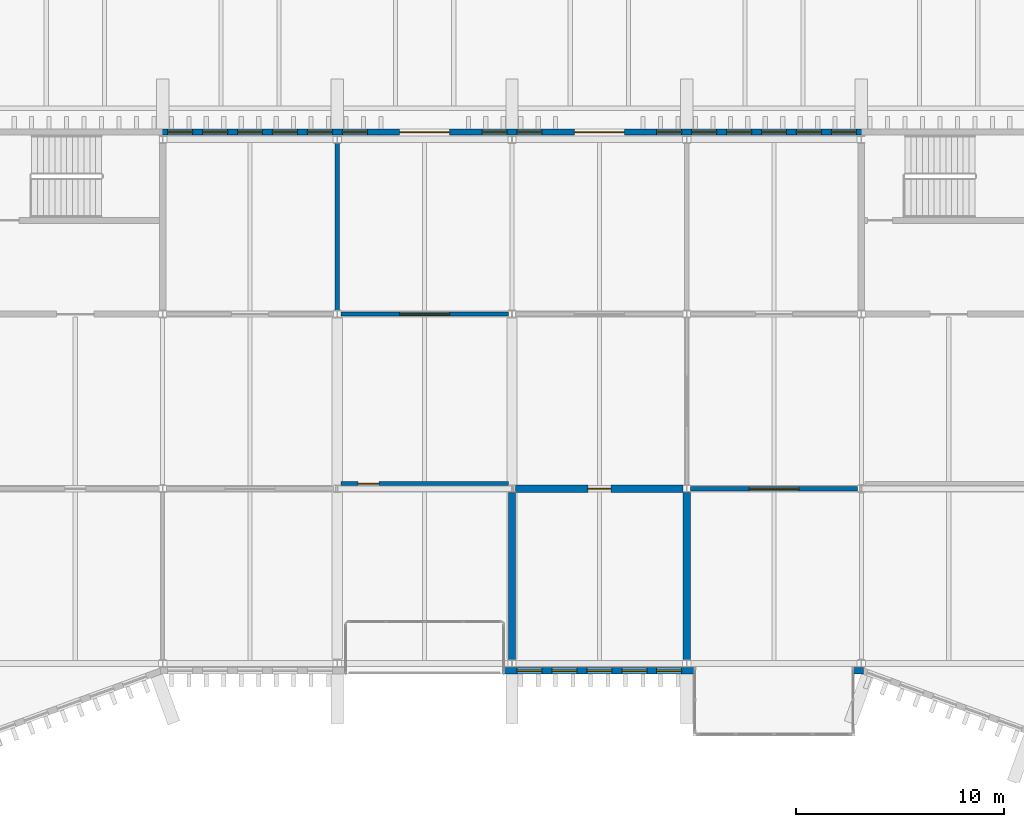
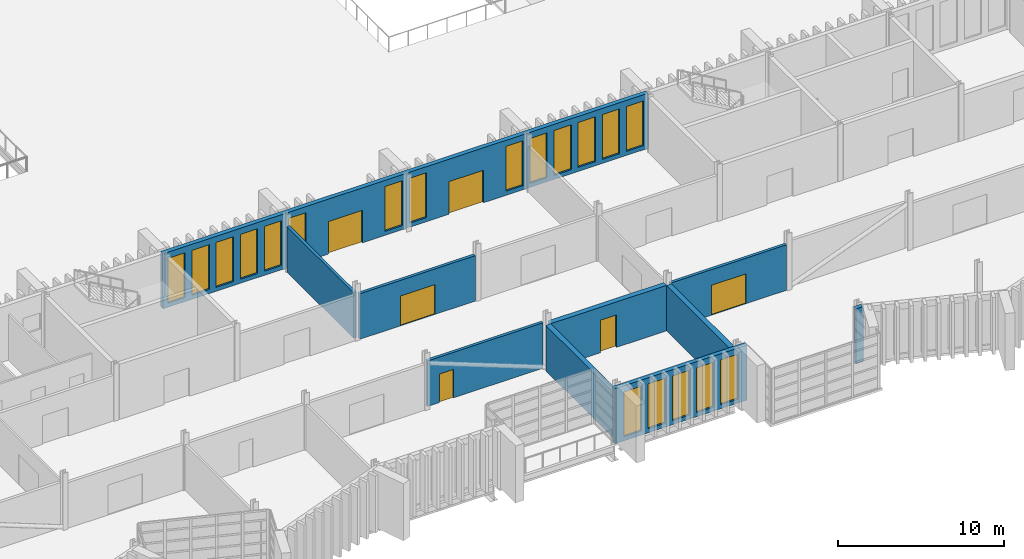
# One storey, part 60 of 96: 19 windows, 10 walls, 6 doors, 25 openings.
"""IFC4 building model written with IfcOpenShell, lengths in metres."""

from ifc_helpers import new_model, si_unit, direction, frame, frame_2d, origin, place, context, subcontext, project, spatial, rectangle, extrude, material, layer, layer_set, type_object, element, fill, save


model = new_model("IFC4")

# Units and contexts
model_context = context("Model", 3, precision=1e-05, world=origin(), true_north=direction((0.0, 1.0)))
body_context = subcontext(model_context, "Body", "Model", "MODEL_VIEW")
ifc_project = project(units=[si_unit("LENGTHUNIT", "METRE"), si_unit("AREAUNIT", "SQUARE_METRE"), si_unit("VOLUMEUNIT", "CUBIC_METRE"), si_unit("PLANEANGLEUNIT", "RADIAN"), si_unit("MASSUNIT", "GRAM", prefix="KILO")], contexts=[model_context])

# Site, building, storey
site_placement = place(None, origin())
site = spatial("IfcSite", under=ifc_project, at=site_placement, CompositionType="ELEMENT")
building_placement = place(site_placement, origin())
building = spatial("IfcBuilding", under=site, at=building_placement, Name="Cresset Court Congress Hotel", CompositionType="ELEMENT")
storey_placement = place(building_placement, frame((0.0, 0.0, 6.0)))
storey = spatial("IfcBuildingStorey", under=building, at=storey_placement, Name="L01", CompositionType="ELEMENT", Elevation=6.0)

# Wall, opening, door
ifc_material_1 = material(Name="Double gypsum board leaves on steel studs with mineral wool", Category="steel")
ifc_layer_1 = layer(ifc_material_1, 0.35009765625)
ifc_layer_set_1 = layer_set([ifc_layer_1], Name="Acoustic double-leaf boardroom wall 350")
wall_type_1 = type_object("IfcWallType", Name="Acoustic double-leaf boardroom wall 350", PredefinedType="PARTITIONING", material=ifc_layer_set_1)
wall_1_placement = place(storey_placement, frame((84.175048828125, 8.39990234375, 0.0), z_axis=(0.0, 0.0, 1.0), x_axis=(1.0, 0.0, 0.0)))
wall_1 = element("IfcWall", 1, at=wall_1_placement, inside=storey, type_object=wall_type_1, Name="Boardroom acoustic wall", PredefinedType="PARTITIONING", context=body_context, shape_type="SweptSolid", body=[
    extrude(rectangle(XDim=8.050048828125, YDim=0.35009765625, at=frame_2d((4.02490234375, 0.0))), origin(), (0.0, 0.0, 1.0), 3.35009765625),
])
opening_1_placement = place(wall_1_placement, frame((3.47509765625, 0.0, 0.0)))
opening_1 = element("IfcOpeningElement", 2, at=opening_1_placement, cuts=wall_1, Name="Opening DB-01-13", PredefinedType="OPENING", context=body_context, shape_type="SweptSolid", body=[
    extrude(rectangle(XDim=1.10009765625, YDim=2.39990234375, at=frame_2d((0.550048828125, 1.199951171875))), frame((0.0, 0.18505859375, 0.0), z_axis=(0.0, -1.0, 0.0), x_axis=(1.0, 0.0, 0.0)), (0.0, 0.0, 1.0), 0.3701171875),
])
ifc_material_2 = material(Name="Solid-core timber with acoustic seals", Category="wood")
door_type_1 = type_object("IfcDoorType", Name="Boardroom acoustic door FD30 1100x2400", OperationType="SINGLE_SWING_LEFT", PredefinedType="DOOR", material=ifc_material_2)
door_1_placement = place(opening_1_placement, origin())
door_1 = element("IfcDoor", 3, at=door_1_placement, inside=storey, type_object=door_type_1, Name="Boardroom door", OperationType="SINGLE_SWING_LEFT", OverallHeight=2.39990234375, OverallWidth=1.10009765625, PredefinedType="DOOR", context=body_context, shape_type="SweptSolid", body=[
    extrude(rectangle(XDim=1.10009765625, YDim=2.39990234375, at=frame_2d((0.550048828125, 1.199951171875))), frame((0.0, 0.02490234375, 0.0), z_axis=(0.0, -1.0, 0.0), x_axis=(1.0, 0.0, 0.0)), (0.0, 0.0, 1.0), 0.050048828125),
])
fill(opening_1, door_1)

# Walls
for number, where, z_axis, x_axis, name in (
    (4, (84.0, 0.175048828125, 0.0), (0.0, 0.0, 1.0), (0.0, 1.0, 0.0), "Boardroom acoustic wall"),
    (5, (92.39990234375, 0.175048828125, 0.0), (0.0, 0.0, 1.0), (0.0, 1.0, 0.0), "Boardroom acoustic wall"),
):
    element("IfcWall", number, at=place(storey_placement, frame(where, z_axis=z_axis, x_axis=x_axis)), inside=storey, type_object=wall_type_1, Name=name, PredefinedType="PARTITIONING", context=body_context, shape_type="SweptSolid", body=[
        extrude(rectangle(XDim=8.050048828125, YDim=0.35009765625, at=frame_2d((4.02490234375, 0.0))), origin(), (0.0, 0.0, 1.0), 3.35009765625),
    ])

# Wall, openings, windows
ifc_material_3 = material(Name="Concrete C40", Category="concrete")
ifc_layer_2 = layer(ifc_material_3, 0.300048828125)
ifc_layer_set_2 = layer_set([ifc_layer_2], Name="External wall 300 Concrete C40")
wall_type_2 = type_object("IfcWallType", Name="External wall 300 Concrete C40", PredefinedType="SOLIDWALL", material=ifc_layer_set_2)
wall_2_placement = place(storey_placement, frame((83.60009765625, -0.35009765625, 0.0), z_axis=(0.0, 0.0, 1.0), x_axis=(1.0, 0.0, 0.0)))
wall_2 = element("IfcWall", 6, at=wall_2_placement, inside=storey, type_object=wall_type_2, Name="External wall", PredefinedType="SOLIDWALL", context=body_context, shape_type="SweptSolid", body=[
    extrude(rectangle(XDim=9.199951171875, YDim=0.300048828125, at=frame_2d((4.60009765625, 0.0))), origin(), (0.0, 0.0, 1.0), 4.050048828125),
])
opening_2_placement = place(wall_2_placement, frame((0.639892578125, 0.0, 0.300048828125)))
opening_2 = element("IfcOpeningElement", 7, at=opening_2_placement, cuts=wall_2, Name="Opening NB-01-06", PredefinedType="OPENING", context=body_context, shape_type="SweptSolid", body=[
    extrude(rectangle(XDim=1.199951171875, YDim=3.300048828125, at=frame_2d((0.60009765625, 1.64990234375))), frame((0.0, 0.159912109375, 0.0), z_axis=(0.0, -1.0, 0.0), x_axis=(1.0, 0.0, 0.0)), (0.0, 0.0, 1.0), 0.320068359375),
])
opening_3_placement = place(wall_2_placement, frame((2.320068359375, 0.0, 0.300048828125)))
opening_3 = element("IfcOpeningElement", 8, at=opening_3_placement, cuts=wall_2, Name="Opening NB-01-07", PredefinedType="OPENING", context=body_context, shape_type="SweptSolid", body=[
    extrude(rectangle(XDim=1.199951171875, YDim=3.300048828125, at=frame_2d((0.60009765625, 1.64990234375))), frame((0.0, 0.159912109375, 0.0), z_axis=(0.0, -1.0, 0.0), x_axis=(1.0, 0.0, 0.0)), (0.0, 0.0, 1.0), 0.320068359375),
])
opening_4_placement = place(wall_2_placement, frame((4.0, 0.0, 0.300048828125)))
opening_4 = element("IfcOpeningElement", 9, at=opening_4_placement, cuts=wall_2, Name="Opening NB-01-08", PredefinedType="OPENING", context=body_context, shape_type="SweptSolid", body=[
    extrude(rectangle(XDim=1.199951171875, YDim=3.300048828125, at=frame_2d((0.60009765625, 1.64990234375))), frame((0.0, 0.159912109375, 0.0), z_axis=(0.0, -1.0, 0.0), x_axis=(1.0, 0.0, 0.0)), (0.0, 0.0, 1.0), 0.320068359375),
])
opening_5_placement = place(wall_2_placement, frame((5.679931640625, 0.0, 0.300048828125)))
opening_5 = element("IfcOpeningElement", 10, at=opening_5_placement, cuts=wall_2, Name="Opening NB-01-09", PredefinedType="OPENING", context=body_context, shape_type="SweptSolid", body=[
    extrude(rectangle(XDim=1.199951171875, YDim=3.300048828125, at=frame_2d((0.60009765625, 1.64990234375))), frame((0.0, 0.159912109375, 0.0), z_axis=(0.0, -1.0, 0.0), x_axis=(1.0, 0.0, 0.0)), (0.0, 0.0, 1.0), 0.320068359375),
])
opening_6_placement = place(wall_2_placement, frame((7.360107421875, 0.0, 0.300048828125)))
opening_6 = element("IfcOpeningElement", 11, at=opening_6_placement, cuts=wall_2, Name="Opening NB-01-10", PredefinedType="OPENING", context=body_context, shape_type="SweptSolid", body=[
    extrude(rectangle(XDim=1.199951171875, YDim=3.300048828125, at=frame_2d((0.60009765625, 1.64990234375))), frame((0.0, 0.159912109375, 0.0), z_axis=(0.0, -1.0, 0.0), x_axis=(1.0, 0.0, 0.0)), (0.0, 0.0, 1.0), 0.320068359375),
])
ifc_material_4 = material(Name="Aluminium frame with double glazing", Category="aluminium")
window_type = type_object("IfcWindowType", Name="Window 1200x3300", PartitioningType="TRIPLE_PANEL_VERTICAL", PredefinedType="WINDOW", material=ifc_material_4)
window_1_placement = place(opening_2_placement, origin())
window_1 = element("IfcWindow", 12, at=window_1_placement, inside=storey, type_object=window_type, Name="Window NB-01-06", OverallHeight=3.300048828125, OverallWidth=1.199951171875, PartitioningType="TRIPLE_PANEL_VERTICAL", PredefinedType="WINDOW", context=body_context, shape_type="SweptSolid", body=[
    extrude(rectangle(XDim=1.199951171875, YDim=3.300048828125, at=frame_2d((0.60009765625, 1.64990234375))), frame((0.0, 0.030029296875, 0.0), z_axis=(0.0, -1.0, 0.0), x_axis=(1.0, 0.0, 0.0)), (0.0, 0.0, 1.0), 0.06005859375),
])
fill(opening_2, window_1)
window_2_placement = place(opening_3_placement, origin())
window_2 = element("IfcWindow", 13, at=window_2_placement, inside=storey, type_object=window_type, Name="Window NB-01-07", OverallHeight=3.300048828125, OverallWidth=1.199951171875, PartitioningType="TRIPLE_PANEL_VERTICAL", PredefinedType="WINDOW", context=body_context, shape_type="SweptSolid", body=[
    extrude(rectangle(XDim=1.199951171875, YDim=3.300048828125, at=frame_2d((0.60009765625, 1.64990234375))), frame((0.0, 0.030029296875, 0.0), z_axis=(0.0, -1.0, 0.0), x_axis=(1.0, 0.0, 0.0)), (0.0, 0.0, 1.0), 0.06005859375),
])
fill(opening_3, window_2)
window_3_placement = place(opening_4_placement, origin())
window_3 = element("IfcWindow", 14, at=window_3_placement, inside=storey, type_object=window_type, Name="Window NB-01-08", OverallHeight=3.300048828125, OverallWidth=1.199951171875, PartitioningType="TRIPLE_PANEL_VERTICAL", PredefinedType="WINDOW", context=body_context, shape_type="SweptSolid", body=[
    extrude(rectangle(XDim=1.199951171875, YDim=3.300048828125, at=frame_2d((0.60009765625, 1.64990234375))), frame((0.0, 0.030029296875, 0.0), z_axis=(0.0, -1.0, 0.0), x_axis=(1.0, 0.0, 0.0)), (0.0, 0.0, 1.0), 0.06005859375),
])
fill(opening_4, window_3)
window_4_placement = place(opening_5_placement, origin())
window_4 = element("IfcWindow", 15, at=window_4_placement, inside=storey, type_object=window_type, Name="Window NB-01-09", OverallHeight=3.300048828125, OverallWidth=1.199951171875, PartitioningType="TRIPLE_PANEL_VERTICAL", PredefinedType="WINDOW", context=body_context, shape_type="SweptSolid", body=[
    extrude(rectangle(XDim=1.199951171875, YDim=3.300048828125, at=frame_2d((0.60009765625, 1.64990234375))), frame((0.0, 0.030029296875, 0.0), z_axis=(0.0, -1.0, 0.0), x_axis=(1.0, 0.0, 0.0)), (0.0, 0.0, 1.0), 0.06005859375),
])
fill(opening_5, window_4)
window_5_placement = place(opening_6_placement, origin())
window_5 = element("IfcWindow", 16, at=window_5_placement, inside=storey, type_object=window_type, Name="Window NB-01-10", OverallHeight=3.300048828125, OverallWidth=1.199951171875, PartitioningType="TRIPLE_PANEL_VERTICAL", PredefinedType="WINDOW", context=body_context, shape_type="SweptSolid", body=[
    extrude(rectangle(XDim=1.199951171875, YDim=3.300048828125, at=frame_2d((0.60009765625, 1.64990234375))), frame((0.0, 0.030029296875, 0.0), z_axis=(0.0, -1.0, 0.0), x_axis=(1.0, 0.0, 0.0)), (0.0, 0.0, 1.0), 0.06005859375),
])
fill(opening_6, window_5)

# Wall
wall_3_placement = place(storey_placement, frame((100.39990234375, -0.35009765625, 0.0), z_axis=(0.0, 0.0, 1.0), x_axis=(1.0, 0.0, 0.0)))
element("IfcWall", 17, at=wall_3_placement, inside=storey, type_object=wall_type_2, Name="External wall", PredefinedType="SOLIDWALL", context=body_context, shape_type="SweptSolid", body=[
    extrude(rectangle(XDim=0.5, YDim=0.300048828125, at=frame_2d((0.25, 0.0))), origin(), (0.0, 0.0, 1.0), 4.050048828125),
])

# Wall, openings, doors, windows
wall_4_placement = place(storey_placement, frame((67.10009765625, 25.550048828125, 0.0), z_axis=(0.0, 0.0, 1.0), x_axis=(1.0, 0.0, 0.0)))
wall_4 = element("IfcWall", 18, at=wall_4_placement, inside=storey, type_object=wall_type_2, Name="External wall", PredefinedType="SOLIDWALL", context=body_context, shape_type="SweptSolid", body=[
    extrude(rectangle(XDim=33.7998046875, YDim=0.300048828125, at=frame_2d((16.89990234375, 0.0))), origin(), (0.0, 0.0, 1.0), 4.050048828125),
])
opening_7_placement = place(wall_4_placement, frame((11.5, 0.0, 0.0)))
opening_7 = element("IfcOpeningElement", 19, at=opening_7_placement, cuts=wall_4, Name="Opening DB-01-02", PredefinedType="OPENING", context=body_context, shape_type="SweptSolid", body=[
    extrude(rectangle(XDim=2.39990234375, YDim=2.39990234375, at=frame_2d((1.199951171875, 1.199951171875))), frame((0.0, 0.159912109375, 0.0), z_axis=(0.0, -1.0, 0.0), x_axis=(1.0, 0.0, 0.0)), (0.0, 0.0, 1.0), 0.320068359375),
])
opening_8_placement = place(wall_4_placement, frame((19.89990234375, 0.0, 0.0)))
opening_8 = element("IfcOpeningElement", 20, at=opening_8_placement, cuts=wall_4, Name="Opening DB-01-03", PredefinedType="OPENING", context=body_context, shape_type="SweptSolid", body=[
    extrude(rectangle(XDim=2.39990234375, YDim=2.39990234375, at=frame_2d((1.199951171875, 1.199951171875))), frame((0.0, 0.159912109375, 0.0), z_axis=(0.0, -1.0, 0.0), x_axis=(1.0, 0.0, 0.0)), (0.0, 0.0, 1.0), 0.320068359375),
])
opening_9_placement = place(wall_4_placement, frame((0.340087890625, 0.0, 0.300048828125)))
opening_9 = element("IfcOpeningElement", 21, at=opening_9_placement, cuts=wall_4, Name="Opening NB-01-59", PredefinedType="OPENING", context=body_context, shape_type="SweptSolid", body=[
    extrude(rectangle(XDim=1.199951171875, YDim=3.300048828125, at=frame_2d((0.60009765625, 1.64990234375))), frame((0.0, 0.159912109375, 0.0), z_axis=(0.0, -1.0, 0.0), x_axis=(1.0, 0.0, 0.0)), (0.0, 0.0, 1.0), 0.320068359375),
])
opening_10_placement = place(wall_4_placement, frame((2.02001953125, 0.0, 0.300048828125)))
opening_10 = element("IfcOpeningElement", 22, at=opening_10_placement, cuts=wall_4, Name="Opening NB-01-60", PredefinedType="OPENING", context=body_context, shape_type="SweptSolid", body=[
    extrude(rectangle(XDim=1.199951171875, YDim=3.300048828125, at=frame_2d((0.60009765625, 1.64990234375))), frame((0.0, 0.159912109375, 0.0), z_axis=(0.0, -1.0, 0.0), x_axis=(1.0, 0.0, 0.0)), (0.0, 0.0, 1.0), 0.320068359375),
])
opening_11_placement = place(wall_4_placement, frame((3.699951171875, 0.0, 0.300048828125)))
opening_11 = element("IfcOpeningElement", 23, at=opening_11_placement, cuts=wall_4, Name="Opening NB-01-61", PredefinedType="OPENING", context=body_context, shape_type="SweptSolid", body=[
    extrude(rectangle(XDim=1.199951171875, YDim=3.300048828125, at=frame_2d((0.60009765625, 1.64990234375))), frame((0.0, 0.159912109375, 0.0), z_axis=(0.0, -1.0, 0.0), x_axis=(1.0, 0.0, 0.0)), (0.0, 0.0, 1.0), 0.320068359375),
])
opening_12_placement = place(wall_4_placement, frame((5.3798828125, 0.0, 0.300048828125)))
opening_12 = element("IfcOpeningElement", 24, at=opening_12_placement, cuts=wall_4, Name="Opening NB-01-62", PredefinedType="OPENING", context=body_context, shape_type="SweptSolid", body=[
    extrude(rectangle(XDim=1.199951171875, YDim=3.300048828125, at=frame_2d((0.60009765625, 1.64990234375))), frame((0.0, 0.159912109375, 0.0), z_axis=(0.0, -1.0, 0.0), x_axis=(1.0, 0.0, 0.0)), (0.0, 0.0, 1.0), 0.320068359375),
])
opening_13_placement = place(wall_4_placement, frame((7.06005859375, 0.0, 0.300048828125)))
opening_13 = element("IfcOpeningElement", 25, at=opening_13_placement, cuts=wall_4, Name="Opening NB-01-63", PredefinedType="OPENING", context=body_context, shape_type="SweptSolid", body=[
    extrude(rectangle(XDim=1.199951171875, YDim=3.300048828125, at=frame_2d((0.60009765625, 1.64990234375))), frame((0.0, 0.159912109375, 0.0), z_axis=(0.0, -1.0, 0.0), x_axis=(1.0, 0.0, 0.0)), (0.0, 0.0, 1.0), 0.320068359375),
])
opening_14_placement = place(wall_4_placement, frame((8.739990234375, 0.0, 0.300048828125)))
opening_14 = element("IfcOpeningElement", 26, at=opening_14_placement, cuts=wall_4, Name="Opening NB-01-64", PredefinedType="OPENING", context=body_context, shape_type="SweptSolid", body=[
    extrude(rectangle(XDim=1.199951171875, YDim=3.300048828125, at=frame_2d((0.60009765625, 1.64990234375))), frame((0.0, 0.159912109375, 0.0), z_axis=(0.0, -1.0, 0.0), x_axis=(1.0, 0.0, 0.0)), (0.0, 0.0, 1.0), 0.320068359375),
])
opening_15_placement = place(wall_4_placement, frame((15.4599609375, 0.0, 0.300048828125)))
opening_15 = element("IfcOpeningElement", 27, at=opening_15_placement, cuts=wall_4, Name="Opening NB-01-65", PredefinedType="OPENING", context=body_context, shape_type="SweptSolid", body=[
    extrude(rectangle(XDim=1.199951171875, YDim=3.300048828125, at=frame_2d((0.60009765625, 1.64990234375))), frame((0.0, 0.159912109375, 0.0), z_axis=(0.0, -1.0, 0.0), x_axis=(1.0, 0.0, 0.0)), (0.0, 0.0, 1.0), 0.320068359375),
])
opening_16_placement = place(wall_4_placement, frame((17.139892578125, 0.0, 0.300048828125)))
opening_16 = element("IfcOpeningElement", 28, at=opening_16_placement, cuts=wall_4, Name="Opening NB-01-66", PredefinedType="OPENING", context=body_context, shape_type="SweptSolid", body=[
    extrude(rectangle(XDim=1.199951171875, YDim=3.300048828125, at=frame_2d((0.60009765625, 1.64990234375))), frame((0.0, 0.159912109375, 0.0), z_axis=(0.0, -1.0, 0.0), x_axis=(1.0, 0.0, 0.0)), (0.0, 0.0, 1.0), 0.320068359375),
])
opening_17_placement = place(wall_4_placement, frame((23.860107421875, 0.0, 0.300048828125)))
opening_17 = element("IfcOpeningElement", 29, at=opening_17_placement, cuts=wall_4, Name="Opening NB-01-67", PredefinedType="OPENING", context=body_context, shape_type="SweptSolid", body=[
    extrude(rectangle(XDim=1.199951171875, YDim=3.300048828125, at=frame_2d((0.60009765625, 1.64990234375))), frame((0.0, 0.159912109375, 0.0), z_axis=(0.0, -1.0, 0.0), x_axis=(1.0, 0.0, 0.0)), (0.0, 0.0, 1.0), 0.320068359375),
])
opening_18_placement = place(wall_4_placement, frame((25.5400390625, 0.0, 0.300048828125)))
opening_18 = element("IfcOpeningElement", 30, at=opening_18_placement, cuts=wall_4, Name="Opening NB-01-68", PredefinedType="OPENING", context=body_context, shape_type="SweptSolid", body=[
    extrude(rectangle(XDim=1.199951171875, YDim=3.300048828125, at=frame_2d((0.60009765625, 1.64990234375))), frame((0.0, 0.159912109375, 0.0), z_axis=(0.0, -1.0, 0.0), x_axis=(1.0, 0.0, 0.0)), (0.0, 0.0, 1.0), 0.320068359375),
])
opening_19_placement = place(wall_4_placement, frame((27.219970703125, 0.0, 0.300048828125)))
opening_19 = element("IfcOpeningElement", 31, at=opening_19_placement, cuts=wall_4, Name="Opening NB-01-69", PredefinedType="OPENING", context=body_context, shape_type="SweptSolid", body=[
    extrude(rectangle(XDim=1.199951171875, YDim=3.300048828125, at=frame_2d((0.60009765625, 1.64990234375))), frame((0.0, 0.159912109375, 0.0), z_axis=(0.0, -1.0, 0.0), x_axis=(1.0, 0.0, 0.0)), (0.0, 0.0, 1.0), 0.320068359375),
])
opening_20_placement = place(wall_4_placement, frame((28.89990234375, 0.0, 0.300048828125)))
opening_20 = element("IfcOpeningElement", 32, at=opening_20_placement, cuts=wall_4, Name="Opening NB-01-70", PredefinedType="OPENING", context=body_context, shape_type="SweptSolid", body=[
    extrude(rectangle(XDim=1.199951171875, YDim=3.300048828125, at=frame_2d((0.60009765625, 1.64990234375))), frame((0.0, 0.159912109375, 0.0), z_axis=(0.0, -1.0, 0.0), x_axis=(1.0, 0.0, 0.0)), (0.0, 0.0, 1.0), 0.320068359375),
])
opening_21_placement = place(wall_4_placement, frame((30.580078125, 0.0, 0.300048828125)))
opening_21 = element("IfcOpeningElement", 33, at=opening_21_placement, cuts=wall_4, Name="Opening NB-01-71", PredefinedType="OPENING", context=body_context, shape_type="SweptSolid", body=[
    extrude(rectangle(XDim=1.199951171875, YDim=3.300048828125, at=frame_2d((0.60009765625, 1.64990234375))), frame((0.0, 0.159912109375, 0.0), z_axis=(0.0, -1.0, 0.0), x_axis=(1.0, 0.0, 0.0)), (0.0, 0.0, 1.0), 0.320068359375),
])
opening_22_placement = place(wall_4_placement, frame((32.260009765625, 0.0, 0.300048828125)))
opening_22 = element("IfcOpeningElement", 34, at=opening_22_placement, cuts=wall_4, Name="Opening NB-01-72", PredefinedType="OPENING", context=body_context, shape_type="SweptSolid", body=[
    extrude(rectangle(XDim=1.199951171875, YDim=3.300048828125, at=frame_2d((0.60009765625, 1.64990234375))), frame((0.0, 0.159912109375, 0.0), z_axis=(0.0, -1.0, 0.0), x_axis=(1.0, 0.0, 0.0)), (0.0, 0.0, 1.0), 0.320068359375),
])
ifc_material_5 = material(Name="Aluminium frame with toughened glass", Category="aluminium")
door_type_2 = type_object("IfcDoorType", Name="Gallery door glazed double 2400x2400", OperationType="DOUBLE_DOOR_SINGLE_SWING", PredefinedType="DOOR", material=ifc_material_5)
door_2_placement = place(opening_7_placement, origin())
door_2 = element("IfcDoor", 35, at=door_2_placement, inside=storey, type_object=door_type_2, Name="Gallery door", OperationType="DOUBLE_DOOR_SINGLE_SWING", OverallHeight=2.39990234375, OverallWidth=2.39990234375, PredefinedType="DOOR", context=body_context, shape_type="SweptSolid", body=[
    extrude(rectangle(XDim=2.39990234375, YDim=2.39990234375, at=frame_2d((1.199951171875, 1.199951171875))), frame((0.0, 0.02490234375, 0.0), z_axis=(0.0, -1.0, 0.0), x_axis=(1.0, 0.0, 0.0)), (0.0, 0.0, 1.0), 0.050048828125),
])
fill(opening_7, door_2)
door_3_placement = place(opening_8_placement, origin())
door_3 = element("IfcDoor", 36, at=door_3_placement, inside=storey, type_object=door_type_2, Name="Gallery door", OperationType="DOUBLE_DOOR_SINGLE_SWING", OverallHeight=2.39990234375, OverallWidth=2.39990234375, PredefinedType="DOOR", context=body_context, shape_type="SweptSolid", body=[
    extrude(rectangle(XDim=2.39990234375, YDim=2.39990234375, at=frame_2d((1.199951171875, 1.199951171875))), frame((0.0, 0.02490234375, 0.0), z_axis=(0.0, -1.0, 0.0), x_axis=(1.0, 0.0, 0.0)), (0.0, 0.0, 1.0), 0.050048828125),
])
fill(opening_8, door_3)
window_6_placement = place(opening_9_placement, origin())
window_6 = element("IfcWindow", 37, at=window_6_placement, inside=storey, type_object=window_type, Name="Window NB-01-59", OverallHeight=3.300048828125, OverallWidth=1.199951171875, PartitioningType="TRIPLE_PANEL_VERTICAL", PredefinedType="WINDOW", context=body_context, shape_type="SweptSolid", body=[
    extrude(rectangle(XDim=1.199951171875, YDim=3.300048828125, at=frame_2d((0.60009765625, 1.64990234375))), frame((0.0, 0.030029296875, 0.0), z_axis=(0.0, -1.0, 0.0), x_axis=(1.0, 0.0, 0.0)), (0.0, 0.0, 1.0), 0.06005859375),
])
fill(opening_9, window_6)
window_7_placement = place(opening_10_placement, origin())
window_7 = element("IfcWindow", 38, at=window_7_placement, inside=storey, type_object=window_type, Name="Window NB-01-60", OverallHeight=3.300048828125, OverallWidth=1.199951171875, PartitioningType="TRIPLE_PANEL_VERTICAL", PredefinedType="WINDOW", context=body_context, shape_type="SweptSolid", body=[
    extrude(rectangle(XDim=1.199951171875, YDim=3.300048828125, at=frame_2d((0.60009765625, 1.64990234375))), frame((0.0, 0.030029296875, 0.0), z_axis=(0.0, -1.0, 0.0), x_axis=(1.0, 0.0, 0.0)), (0.0, 0.0, 1.0), 0.06005859375),
])
fill(opening_10, window_7)
window_8_placement = place(opening_11_placement, origin())
window_8 = element("IfcWindow", 39, at=window_8_placement, inside=storey, type_object=window_type, Name="Window NB-01-61", OverallHeight=3.300048828125, OverallWidth=1.199951171875, PartitioningType="TRIPLE_PANEL_VERTICAL", PredefinedType="WINDOW", context=body_context, shape_type="SweptSolid", body=[
    extrude(rectangle(XDim=1.199951171875, YDim=3.300048828125, at=frame_2d((0.60009765625, 1.64990234375))), frame((0.0, 0.030029296875, 0.0), z_axis=(0.0, -1.0, 0.0), x_axis=(1.0, 0.0, 0.0)), (0.0, 0.0, 1.0), 0.06005859375),
])
fill(opening_11, window_8)
window_9_placement = place(opening_12_placement, origin())
window_9 = element("IfcWindow", 40, at=window_9_placement, inside=storey, type_object=window_type, Name="Window NB-01-62", OverallHeight=3.300048828125, OverallWidth=1.199951171875, PartitioningType="TRIPLE_PANEL_VERTICAL", PredefinedType="WINDOW", context=body_context, shape_type="SweptSolid", body=[
    extrude(rectangle(XDim=1.199951171875, YDim=3.300048828125, at=frame_2d((0.60009765625, 1.64990234375))), frame((0.0, 0.030029296875, 0.0), z_axis=(0.0, -1.0, 0.0), x_axis=(1.0, 0.0, 0.0)), (0.0, 0.0, 1.0), 0.06005859375),
])
fill(opening_12, window_9)
window_10_placement = place(opening_13_placement, origin())
window_10 = element("IfcWindow", 41, at=window_10_placement, inside=storey, type_object=window_type, Name="Window NB-01-63", OverallHeight=3.300048828125, OverallWidth=1.199951171875, PartitioningType="TRIPLE_PANEL_VERTICAL", PredefinedType="WINDOW", context=body_context, shape_type="SweptSolid", body=[
    extrude(rectangle(XDim=1.199951171875, YDim=3.300048828125, at=frame_2d((0.60009765625, 1.64990234375))), frame((0.0, 0.030029296875, 0.0), z_axis=(0.0, -1.0, 0.0), x_axis=(1.0, 0.0, 0.0)), (0.0, 0.0, 1.0), 0.06005859375),
])
fill(opening_13, window_10)
window_11_placement = place(opening_14_placement, origin())
window_11 = element("IfcWindow", 42, at=window_11_placement, inside=storey, type_object=window_type, Name="Window NB-01-64", OverallHeight=3.300048828125, OverallWidth=1.199951171875, PartitioningType="TRIPLE_PANEL_VERTICAL", PredefinedType="WINDOW", context=body_context, shape_type="SweptSolid", body=[
    extrude(rectangle(XDim=1.199951171875, YDim=3.300048828125, at=frame_2d((0.60009765625, 1.64990234375))), frame((0.0, 0.030029296875, 0.0), z_axis=(0.0, -1.0, 0.0), x_axis=(1.0, 0.0, 0.0)), (0.0, 0.0, 1.0), 0.06005859375),
])
fill(opening_14, window_11)
window_12_placement = place(opening_15_placement, origin())
window_12 = element("IfcWindow", 43, at=window_12_placement, inside=storey, type_object=window_type, Name="Window NB-01-65", OverallHeight=3.300048828125, OverallWidth=1.199951171875, PartitioningType="TRIPLE_PANEL_VERTICAL", PredefinedType="WINDOW", context=body_context, shape_type="SweptSolid", body=[
    extrude(rectangle(XDim=1.199951171875, YDim=3.300048828125, at=frame_2d((0.60009765625, 1.64990234375))), frame((0.0, 0.030029296875, 0.0), z_axis=(0.0, -1.0, 0.0), x_axis=(1.0, 0.0, 0.0)), (0.0, 0.0, 1.0), 0.06005859375),
])
fill(opening_15, window_12)
window_13_placement = place(opening_16_placement, origin())
window_13 = element("IfcWindow", 44, at=window_13_placement, inside=storey, type_object=window_type, Name="Window NB-01-66", OverallHeight=3.300048828125, OverallWidth=1.199951171875, PartitioningType="TRIPLE_PANEL_VERTICAL", PredefinedType="WINDOW", context=body_context, shape_type="SweptSolid", body=[
    extrude(rectangle(XDim=1.199951171875, YDim=3.300048828125, at=frame_2d((0.60009765625, 1.64990234375))), frame((0.0, 0.030029296875, 0.0), z_axis=(0.0, -1.0, 0.0), x_axis=(1.0, 0.0, 0.0)), (0.0, 0.0, 1.0), 0.06005859375),
])
fill(opening_16, window_13)
window_14_placement = place(opening_17_placement, origin())
window_14 = element("IfcWindow", 45, at=window_14_placement, inside=storey, type_object=window_type, Name="Window NB-01-67", OverallHeight=3.300048828125, OverallWidth=1.199951171875, PartitioningType="TRIPLE_PANEL_VERTICAL", PredefinedType="WINDOW", context=body_context, shape_type="SweptSolid", body=[
    extrude(rectangle(XDim=1.199951171875, YDim=3.300048828125, at=frame_2d((0.60009765625, 1.64990234375))), frame((0.0, 0.030029296875, 0.0), z_axis=(0.0, -1.0, 0.0), x_axis=(1.0, 0.0, 0.0)), (0.0, 0.0, 1.0), 0.06005859375),
])
fill(opening_17, window_14)
window_15_placement = place(opening_18_placement, origin())
window_15 = element("IfcWindow", 46, at=window_15_placement, inside=storey, type_object=window_type, Name="Window NB-01-68", OverallHeight=3.300048828125, OverallWidth=1.199951171875, PartitioningType="TRIPLE_PANEL_VERTICAL", PredefinedType="WINDOW", context=body_context, shape_type="SweptSolid", body=[
    extrude(rectangle(XDim=1.199951171875, YDim=3.300048828125, at=frame_2d((0.60009765625, 1.64990234375))), frame((0.0, 0.030029296875, 0.0), z_axis=(0.0, -1.0, 0.0), x_axis=(1.0, 0.0, 0.0)), (0.0, 0.0, 1.0), 0.06005859375),
])
fill(opening_18, window_15)
window_16_placement = place(opening_19_placement, origin())
window_16 = element("IfcWindow", 47, at=window_16_placement, inside=storey, type_object=window_type, Name="Window NB-01-69", OverallHeight=3.300048828125, OverallWidth=1.199951171875, PartitioningType="TRIPLE_PANEL_VERTICAL", PredefinedType="WINDOW", context=body_context, shape_type="SweptSolid", body=[
    extrude(rectangle(XDim=1.199951171875, YDim=3.300048828125, at=frame_2d((0.60009765625, 1.64990234375))), frame((0.0, 0.030029296875, 0.0), z_axis=(0.0, -1.0, 0.0), x_axis=(1.0, 0.0, 0.0)), (0.0, 0.0, 1.0), 0.06005859375),
])
fill(opening_19, window_16)
window_17_placement = place(opening_20_placement, origin())
window_17 = element("IfcWindow", 48, at=window_17_placement, inside=storey, type_object=window_type, Name="Window NB-01-70", OverallHeight=3.300048828125, OverallWidth=1.199951171875, PartitioningType="TRIPLE_PANEL_VERTICAL", PredefinedType="WINDOW", context=body_context, shape_type="SweptSolid", body=[
    extrude(rectangle(XDim=1.199951171875, YDim=3.300048828125, at=frame_2d((0.60009765625, 1.64990234375))), frame((0.0, 0.030029296875, 0.0), z_axis=(0.0, -1.0, 0.0), x_axis=(1.0, 0.0, 0.0)), (0.0, 0.0, 1.0), 0.06005859375),
])
fill(opening_20, window_17)
window_18_placement = place(opening_21_placement, origin())
window_18 = element("IfcWindow", 49, at=window_18_placement, inside=storey, type_object=window_type, Name="Window NB-01-71", OverallHeight=3.300048828125, OverallWidth=1.199951171875, PartitioningType="TRIPLE_PANEL_VERTICAL", PredefinedType="WINDOW", context=body_context, shape_type="SweptSolid", body=[
    extrude(rectangle(XDim=1.199951171875, YDim=3.300048828125, at=frame_2d((0.60009765625, 1.64990234375))), frame((0.0, 0.030029296875, 0.0), z_axis=(0.0, -1.0, 0.0), x_axis=(1.0, 0.0, 0.0)), (0.0, 0.0, 1.0), 0.06005859375),
])
fill(opening_21, window_18)
window_19_placement = place(opening_22_placement, origin())
window_19 = element("IfcWindow", 50, at=window_19_placement, inside=storey, type_object=window_type, Name="Window NB-01-72", OverallHeight=3.300048828125, OverallWidth=1.199951171875, PartitioningType="TRIPLE_PANEL_VERTICAL", PredefinedType="WINDOW", context=body_context, shape_type="SweptSolid", body=[
    extrude(rectangle(XDim=1.199951171875, YDim=3.300048828125, at=frame_2d((0.60009765625, 1.64990234375))), frame((0.0, 0.030029296875, 0.0), z_axis=(0.0, -1.0, 0.0), x_axis=(1.0, 0.0, 0.0)), (0.0, 0.0, 1.0), 0.06005859375),
])
fill(opening_22, window_19)

# Wall, opening, door
ifc_material_6 = material(Name="Gypsum board on steel studs", Category="steel")
ifc_layer_3 = layer(ifc_material_6, 0.199951171875)
ifc_layer_set_3 = layer_set([ifc_layer_3], Name="Foyer wall 200")
wall_type_3 = type_object("IfcWallType", Name="Foyer wall 200", PredefinedType="PARTITIONING", material=ifc_layer_set_3)
wall_5_placement = place(storey_placement, frame((75.77490234375, 8.646484375, 0.0), z_axis=(0.0, 0.0, 1.0), x_axis=(1.0, 0.0, 0.0)))
wall_5 = element("IfcWall", 51, at=wall_5_placement, inside=storey, type_object=wall_type_3, Name="Foyer wall", PredefinedType="PARTITIONING", context=body_context, shape_type="SweptSolid", body=[
    extrude(rectangle(XDim=8.050048828125, YDim=0.199951171875, at=frame_2d((4.02490234375, 0.0))), origin(), (0.0, 0.0, 1.0), 3.35009765625),
])
opening_23_placement = place(wall_5_placement, frame((0.824951171875, 0.0, 0.0)))
opening_23 = element("IfcOpeningElement", 52, at=opening_23_placement, cuts=wall_5, Name="Opening DB-01-12", PredefinedType="OPENING", context=body_context, shape_type="SweptSolid", body=[
    extrude(rectangle(XDim=1.0, YDim=2.10009765625, at=frame_2d((0.5, 1.050048828125))), frame((0.0, 0.10986328125, 0.0), z_axis=(0.0, -1.0, 0.0), x_axis=(1.0, 0.0, 0.0)), (0.0, 0.0, 1.0), 0.219970703125),
])
ifc_material_7 = material(Name="Timber and steel frame", Category="steel")
door_type_3 = type_object("IfcDoorType", Name="Fire door FD30 single 1000x2100", OperationType="SINGLE_SWING_LEFT", PredefinedType="DOOR", material=ifc_material_7)
door_4_placement = place(opening_23_placement, origin())
door_4 = element("IfcDoor", 53, at=door_4_placement, inside=storey, type_object=door_type_3, Name="Meeting Room door", OperationType="SINGLE_SWING_LEFT", OverallHeight=2.10009765625, OverallWidth=1.0, PredefinedType="DOOR", context=body_context, shape_type="SweptSolid", body=[
    extrude(rectangle(XDim=1.0, YDim=2.10009765625, at=frame_2d((0.5, 1.050048828125))), frame((0.0, 0.02490234375, 0.0), z_axis=(0.0, -1.0, 0.0), x_axis=(1.0, 0.0, 0.0)), (0.0, 0.0, 1.0), 0.050048828125),
])
fill(opening_23, door_4)

wall_6_placement = place(storey_placement, frame((92.574951171875, 8.39990234375, 0.0), z_axis=(0.0, 0.0, 1.0), x_axis=(1.0, 0.0, 0.0)))
wall_6 = element("IfcWall", 54, at=wall_6_placement, inside=storey, type_object=wall_type_3, Name="Foyer wall", PredefinedType="PARTITIONING", context=body_context, shape_type="SweptSolid", body=[
    extrude(rectangle(XDim=8.050048828125, YDim=0.199951171875, at=frame_2d((4.02490234375, 0.0))), origin(), (0.0, 0.0, 1.0), 3.35009765625),
])
opening_24_placement = place(wall_6_placement, frame((2.824951171875, 0.0, 0.0)))
opening_24 = element("IfcOpeningElement", 55, at=opening_24_placement, cuts=wall_6, Name="Opening DB-01-14", PredefinedType="OPENING", context=body_context, shape_type="SweptSolid", body=[
    extrude(rectangle(XDim=2.39990234375, YDim=2.199951171875, at=frame_2d((1.199951171875, 1.10009765625))), frame((0.0, 0.10986328125, 0.0), z_axis=(0.0, -1.0, 0.0), x_axis=(1.0, 0.0, 0.0)), (0.0, 0.0, 1.0), 0.219970703125),
])
ifc_material_8 = material(Name="Timber and steel frame", Category="steel")
door_type_4 = type_object("IfcDoorType", Name="Fire door FD30 double 2400x2200", OperationType="DOUBLE_DOOR_SINGLE_SWING", PredefinedType="DOOR", material=ifc_material_8)
door_5_placement = place(opening_24_placement, origin())
door_5 = element("IfcDoor", 56, at=door_5_placement, inside=storey, type_object=door_type_4, Name="Meeting Room door", OperationType="DOUBLE_DOOR_SINGLE_SWING", OverallHeight=2.199951171875, OverallWidth=2.39990234375, PredefinedType="DOOR", context=body_context, shape_type="SweptSolid", body=[
    extrude(rectangle(XDim=2.39990234375, YDim=2.199951171875, at=frame_2d((1.199951171875, 1.10009765625))), frame((0.0, 0.02490234375, 0.0), z_axis=(0.0, -1.0, 0.0), x_axis=(1.0, 0.0, 0.0)), (0.0, 0.0, 1.0), 0.050048828125),
])
fill(opening_24, door_5)

wall_7_placement = place(storey_placement, frame((75.77490234375, 16.800048828125, 0.0), z_axis=(0.0, 0.0, 1.0), x_axis=(1.0, 0.0, 0.0)))
wall_7 = element("IfcWall", 57, at=wall_7_placement, inside=storey, type_object=wall_type_3, Name="Foyer wall", PredefinedType="PARTITIONING", context=body_context, shape_type="SweptSolid", body=[
    extrude(rectangle(XDim=8.050048828125, YDim=0.199951171875, at=frame_2d((4.02490234375, 0.0))), origin(), (0.0, 0.0, 1.0), 3.35009765625),
])
opening_25_placement = place(wall_7_placement, frame((2.824951171875, 0.0, 0.0)))
opening_25 = element("IfcOpeningElement", 58, at=opening_25_placement, cuts=wall_7, Name="Opening DB-01-25", PredefinedType="OPENING", context=body_context, shape_type="SweptSolid", body=[
    extrude(rectangle(XDim=2.39990234375, YDim=2.199951171875, at=frame_2d((1.199951171875, 1.10009765625))), frame((0.0, 0.10986328125, 0.0), z_axis=(0.0, -1.0, 0.0), x_axis=(1.0, 0.0, 0.0)), (0.0, 0.0, 1.0), 0.219970703125),
])
ifc_material_9 = material(Name="Fire-resisting glazing in steel frame", Category="steel")
door_type_5 = type_object("IfcDoorType", Name="Smoke door glazed double 2400x2200", OperationType="DOUBLE_DOOR_SINGLE_SWING", PredefinedType="DOOR", material=ifc_material_9)
door_6_placement = place(opening_25_placement, origin())
door_6 = element("IfcDoor", 59, at=door_6_placement, inside=storey, type_object=door_type_5, Name="Gallery door", OperationType="DOUBLE_DOOR_SINGLE_SWING", OverallHeight=2.199951171875, OverallWidth=2.39990234375, PredefinedType="DOOR", context=body_context, shape_type="SweptSolid", body=[
    extrude(rectangle(XDim=2.39990234375, YDim=2.199951171875, at=frame_2d((1.199951171875, 1.10009765625))), frame((0.0, 0.02490234375, 0.0), z_axis=(0.0, -1.0, 0.0), x_axis=(1.0, 0.0, 0.0)), (0.0, 0.0, 1.0), 0.050048828125),
])
fill(opening_25, door_6)

# Wall
wall_8_placement = place(storey_placement, frame((75.60009765625, 16.97509765625, 0.0), z_axis=(0.0, 0.0, 1.0), x_axis=(0.0, 1.0, 0.0)))
element("IfcWall", 60, at=wall_8_placement, inside=storey, type_object=wall_type_3, Name="Foyer wall", PredefinedType="PARTITIONING", context=body_context, shape_type="SweptSolid", body=[
    extrude(rectangle(XDim=8.0498046875, YDim=0.199951171875, at=frame_2d((4.02490234375, 0.0))), origin(), (0.0, 0.0, 1.0), 3.35009765625),
])

save(model, "model.ifc")
